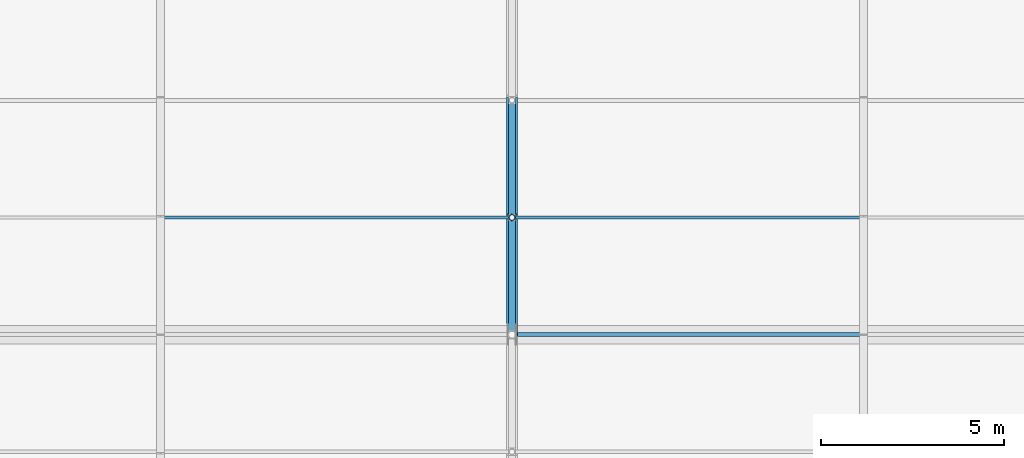
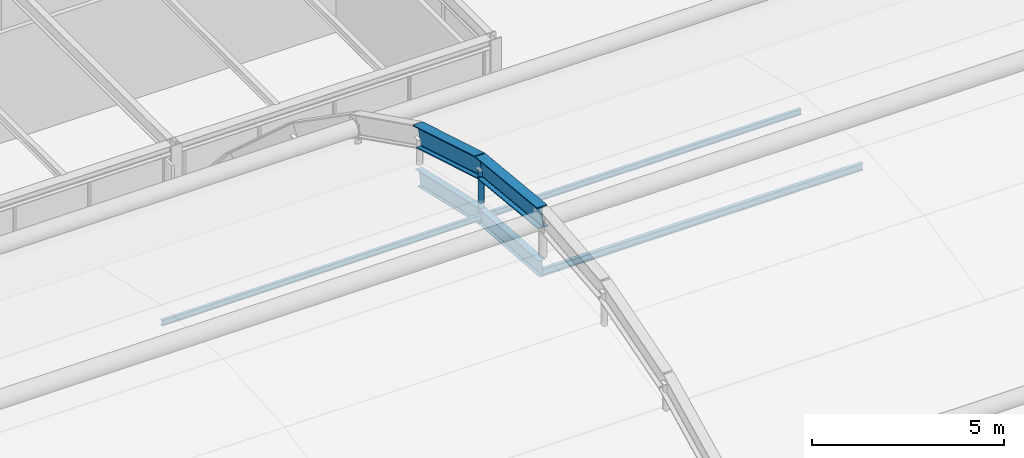
# One storey, part 59 of 126: 4 beams, 4 members.
"""IFC4 building model written with IfcOpenShell, lengths in metres."""

from ifc_helpers import new_model, si_unit, direction, frame, origin, origin_2d, place, context, subcontext, project, spatial, hollow_circle, i_section, extrude, material, material_profile, profile_set, type_object, element, save


model = new_model("IFC4")

# Units and contexts
model_context = context("Model", 3, precision=1e-05, world=origin(), true_north=direction((0.0, 1.0)))
body_context = subcontext(model_context, "Body", "Model", "MODEL_VIEW")
ifc_project = project(units=[si_unit("LENGTHUNIT", "METRE"), si_unit("AREAUNIT", "SQUARE_METRE"), si_unit("VOLUMEUNIT", "CUBIC_METRE"), si_unit("PLANEANGLEUNIT", "RADIAN"), si_unit("MASSUNIT", "GRAM", prefix="KILO")], contexts=[model_context])

# Site, building, storey
site_placement = place(None, origin())
site = spatial("IfcSite", under=ifc_project, at=site_placement, CompositionType="ELEMENT")
building_placement = place(site_placement, origin())
building = spatial("IfcBuilding", under=site, at=building_placement, Name="Coralgate Yard Interchange", CompositionType="ELEMENT")
storey_placement = place(building_placement, frame((0.0, 0.0, 10.5)))
storey = spatial("IfcBuildingStorey", under=building, at=storey_placement, Name="L02", CompositionType="ELEMENT", Elevation=10.5)

# Beams
ifc_material_1 = material(Name="Yellow-ochre weather-coated structural steel S355J2", Category="steel")
ifc_material_profile_1 = material_profile(ifc_material_1, i_section(OverallWidth=0.300048828125, OverallDepth=0.64990234375, WebThickness=0.01611328125, FlangeThickness=0.031005859375, FilletRadius=0.027099609375, at=origin_2d()), Name="HEB 650")
ifc_profile_set_1 = profile_set([ifc_material_profile_1], Name="Yellow-ochre weather-coated structural steel S355J2")
beam_type_1 = type_object("IfcBeamType", Name="BM-AR-1", PredefinedType="BEAM", material=ifc_profile_set_1)
beam_1_placement = place(storey_placement, frame((86.39990234375, 57.60009765625, 13.199951171875), z_axis=(0.0, 0.995057464429, -0.099300767794), x_axis=(-1.0, 0.0, 0.0)))
element("IfcBeam", 1, at=beam_1_placement, inside=storey, type_object=beam_type_1, Name="Yellow-ochre overarching steel arch AR-3 chord 8", PredefinedType="BEAM", context=body_context, shape_type="SweptSolid", body=[
    extrude(i_section(OverallWidth=0.300048828125, OverallDepth=0.64990234375, WebThickness=0.01611328125, FlangeThickness=0.031005859375, FilletRadius=0.027099609375, at=origin_2d()), origin(), (0.0, 0.0, 1.0), 3.2158203125),
])
beam_2_placement = place(storey_placement, frame((86.39990234375, 60.800048828125, 12.880615234375), z_axis=(0.0, 0.957948903279, -0.286938841403), x_axis=(-1.0, 0.0, 0.0)))
element("IfcBeam", 2, at=beam_2_placement, inside=storey, type_object=beam_type_1, Name="Yellow-ochre overarching steel arch AR-3 chord 9", PredefinedType="BEAM", context=body_context, shape_type="SweptSolid", body=[
    extrude(i_section(OverallWidth=0.300048828125, OverallDepth=0.64990234375, WebThickness=0.01611328125, FlangeThickness=0.031005859375, FilletRadius=0.027099609375, at=origin_2d()), origin(), (0.0, 0.0, 1.0), 3.34033203125),
])
ifc_material_2 = material(Name="Weather-coated structural steel S355J2", Category="steel")
ifc_material_profile_2 = material_profile(ifc_material_2, i_section(OverallWidth=0.199951171875, OverallDepth=0.5, WebThickness=0.01025390625, FlangeThickness=0.01611328125, FilletRadius=0.02099609375, at=origin_2d()), Name="IPE 500")
ifc_profile_set_2 = profile_set([ifc_material_profile_2], Name="Weather-coated structural steel S355J2")
beam_type_2 = type_object("IfcBeamType", Name="BM-VR-2", PredefinedType="BEAM", material=ifc_profile_set_2)
beam_3_placement = place(storey_placement, frame((86.39990234375, 57.60009765625, 11.57470703125), z_axis=(0.0, 0.997210788487, -0.074636742466), x_axis=(-1.0, 0.0, 0.0)))
element("IfcBeam", 3, at=beam_3_placement, inside=storey, type_object=beam_type_2, Name="Barrel-vault gridshell rib 6 seg 7", PredefinedType="BEAM", context=body_context, shape_type="SweptSolid", body=[
    extrude(i_section(OverallWidth=0.199951171875, OverallDepth=0.5, WebThickness=0.01025390625, FlangeThickness=0.01611328125, FilletRadius=0.02099609375, at=origin_2d()), origin(), (0.0, 0.0, 1.0), 3.208984375),
])
beam_4_placement = place(storey_placement, frame((86.39990234375, 60.800048828125, 11.335205078125), z_axis=(0.0, 0.974613791, -0.22389273859), x_axis=(-1.0, 0.0, 0.0)))
element("IfcBeam", 4, at=beam_4_placement, inside=storey, type_object=beam_type_2, Name="Barrel-vault gridshell rib 6 seg 8", PredefinedType="BEAM", context=body_context, shape_type="SweptSolid", body=[
    extrude(i_section(OverallWidth=0.199951171875, OverallDepth=0.5, WebThickness=0.01025390625, FlangeThickness=0.01611328125, FilletRadius=0.02099609375, at=origin_2d()), origin(), (0.0, 0.0, 1.0), 3.283203125),
])

# Members
ifc_material_profile_3 = material_profile(ifc_material_1, hollow_circle(Radius=0.084228515625, WallThickness=0.008056640625, at=origin_2d()), Name="CHS 168.3x8")
ifc_profile_set_3 = profile_set([ifc_material_profile_3], Name="Yellow-ochre weather-coated structural steel S355J2")
member_type_1 = type_object("IfcMemberType", Name="MB-HG-2", PredefinedType="STRUT", material=ifc_profile_set_3)
member_1_placement = place(storey_placement, frame((86.39990234375, 60.800048828125, 11.435302734375), z_axis=(0.0, 0.0, 1.0), x_axis=(1.0, 0.0, 0.0)))
element("IfcMember", 5, at=member_1_placement, inside=storey, type_object=member_type_1, Name="Arch AR-3 steel suspension hanger 7", PredefinedType="STRUT", context=body_context, shape_type="SweptSolid", body=[
    extrude(hollow_circle(Radius=0.084228515625, WallThickness=0.008056640625, at=origin_2d()), origin(), (0.0, 0.0, 1.0), 1.34521484375),
])
ifc_material_profile_4 = material_profile(ifc_material_2, i_section(OverallWidth=0.110107421875, OverallDepth=0.219970703125, WebThickness=0.005859375, FlangeThickness=0.00927734375, FilletRadius=0.011962890625, at=origin_2d()), Name="IPE 220")
ifc_profile_set_4 = profile_set([ifc_material_profile_4], Name="Weather-coated structural steel S355J2")
member_type_2 = type_object("IfcMemberType", Name="MB-PR-1", PredefinedType="PURLIN", material=ifc_profile_set_4)
member_2_placement = place(storey_placement, frame((86.402099609375, 57.60009765625, 11.46484375), z_axis=(1.0, 0.0, 0.0), x_axis=(0.0, 1.0, 0.0)))
element("IfcMember", 6, at=member_2_placement, inside=storey, type_object=member_type_2, Name="Barrel-vault gridshell purlin 6-7", PredefinedType="PURLIN", context=body_context, shape_type="SweptSolid", body=[
    extrude(i_section(OverallWidth=0.110107421875, OverallDepth=0.219970703125, WebThickness=0.005859375, FlangeThickness=0.00927734375, FilletRadius=0.011962890625, at=origin_2d()), origin(), (0.0, 0.0, 1.0), 9.595947265625),
])
ifc_material_3 = material(Name="Off-white architectural structural steel S355J2", Category="steel")
ifc_material_profile_5 = material_profile(ifc_material_3, i_section(OverallWidth=0.091064453125, OverallDepth=0.179931640625, WebThickness=0.00537109375, FlangeThickness=0.008056640625, FilletRadius=0.009033203125, at=origin_2d()), Name="IPE 180")
ifc_profile_set_5 = profile_set([ifc_material_profile_5], Name="Off-white architectural structural steel S355J2")
member_type_3 = type_object("IfcMemberType", Name="MB-PR-2", PredefinedType="PURLIN", material=ifc_profile_set_5)
for number, where, z_axis, x_axis, name in (
    (7, (76.802001953125, 60.800048828125, 11.265380859375), (1.0, 0.0, 0.0), (0.0, 1.0, 0.0), "Barrel-vault gridshell purlin 5-8"),
    (8, (86.402099609375, 60.800048828125, 11.265380859375), (1.0, 0.0, 0.0), (0.0, 1.0, 0.0), "Barrel-vault gridshell purlin 6-8"),
):
    element("IfcMember", number, at=place(storey_placement, frame(where, z_axis=z_axis, x_axis=x_axis)), inside=storey, type_object=member_type_3, Name=name, PredefinedType="PURLIN", context=body_context, shape_type="SweptSolid", body=[
        extrude(i_section(OverallWidth=0.091064453125, OverallDepth=0.179931640625, WebThickness=0.00537109375, FlangeThickness=0.008056640625, FilletRadius=0.009033203125, at=origin_2d()), origin(), (0.0, 0.0, 1.0), 9.595947265625),
    ])

save(model, "model.ifc")
